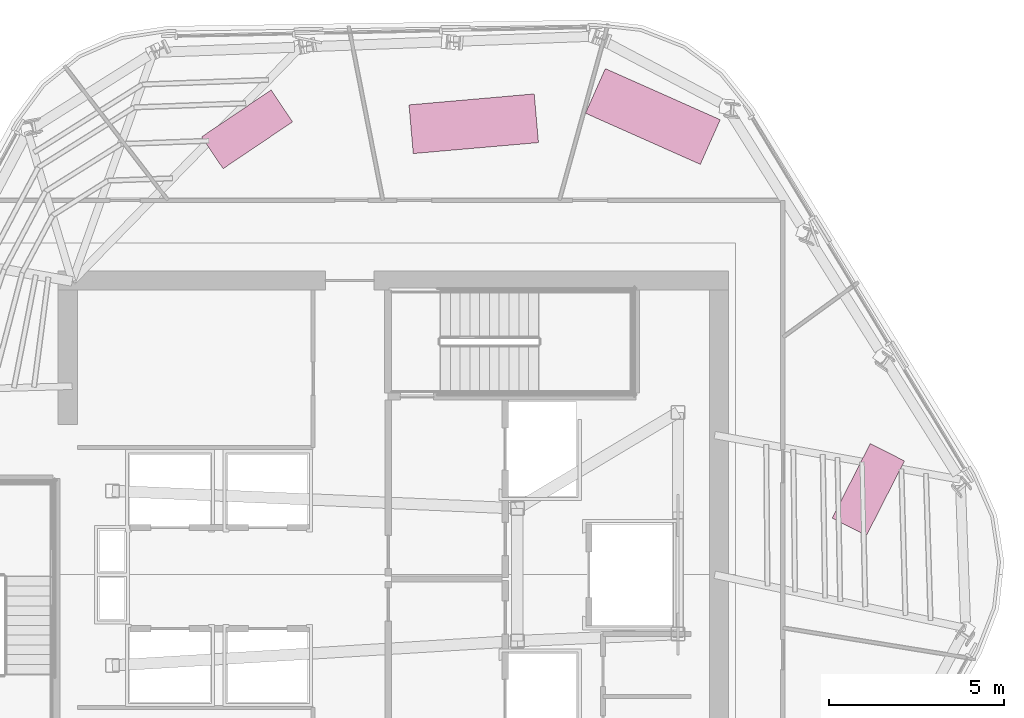
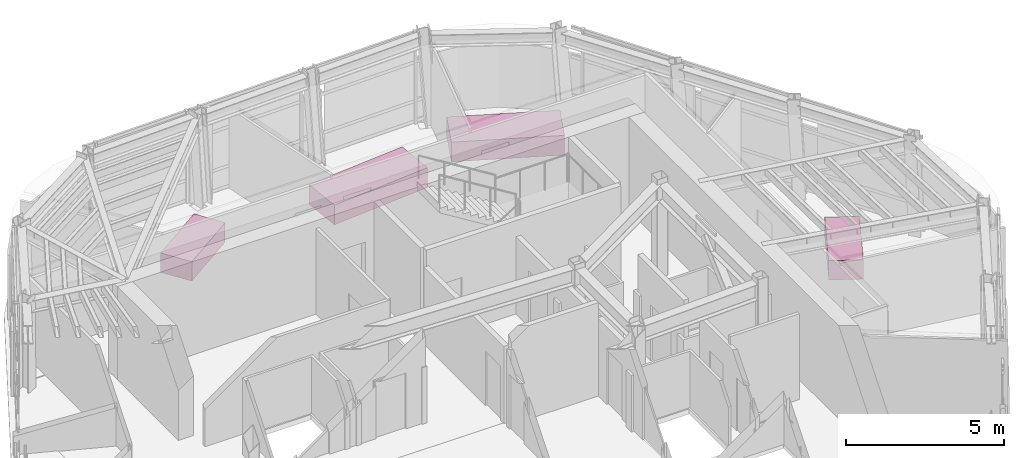
# One storey, part 13 of 13: 4 furniture elements.
"""IFC4 building model written with IfcOpenShell, lengths in metres."""

from ifc_helpers import new_model, si_unit, direction, frame, origin, origin_2d, place, context, subcontext, project, spatial, rectangle, extrude, material, type_object, element, save


model = new_model("IFC4")

# Units and contexts
model_context = context("Model", 3, precision=1e-05, world=origin(), true_north=direction((0.0, 1.0)))
body_context = subcontext(model_context, "Body", "Model", "MODEL_VIEW")
ifc_project = project(units=[si_unit("LENGTHUNIT", "METRE"), si_unit("AREAUNIT", "SQUARE_METRE"), si_unit("VOLUMEUNIT", "CUBIC_METRE"), si_unit("PLANEANGLEUNIT", "RADIAN"), si_unit("MASSUNIT", "GRAM", prefix="KILO")], contexts=[model_context])

# Site, building, storey
site_placement = place(None, origin())
site = spatial("IfcSite", under=ifc_project, at=site_placement, CompositionType="ELEMENT")
building_placement = place(site_placement, origin())
building = spatial("IfcBuilding", under=site, at=building_placement, Name="Valkerne Bourse Tower", CompositionType="ELEMENT")
storey_placement = place(building_placement, frame((0.0, 0.0, 288.800048828125)))
storey = spatial("IfcBuildingStorey", under=building, at=storey_placement, Name="L73", CompositionType="ELEMENT", Elevation=288.800048828125)

# Furniture
ifc_material = material(Name="Architectural White Oak Timber", Category="wood")
furniture_type_1 = type_object("IfcFurnitureType", Name="FURN-CONF-3600", AssemblyPlace="NOTDEFINED", PredefinedType="TABLE", material=ifc_material)
for number, where, z_axis, x_axis, name in (
    (1, (54.22900390625, 40.123046875, 0.044921875), (0.0, 0.0, 1.0), (-0.913545457643, 0.406736643076, 0.0), "L73 Suite Worktable 05"),
    (2, (49.09912109375, 39.9150390625, 0.044921875), (0.0, 0.0, 1.0), (0.996194698092, 0.087155742748, 0.0), "L73 Suite Worktable 06"),
):
    element("IfcFurniture", number, at=place(storey_placement, frame(where, z_axis=z_axis, x_axis=x_axis)), inside=storey, type_object=furniture_type_1, Name=name, PredefinedType="TABLE", context=body_context, shape_type="SweptSolid", body=[
        extrude(rectangle(XDim=3.60009765625, YDim=1.39990234375, at=origin_2d()), origin(), (0.0, 0.0, 1.0), 0.760009765625),
    ])
furniture_type_2 = type_object("IfcFurnitureType", Name="FURN-DESK-2400", AssemblyPlace="NOTDEFINED", PredefinedType="DESK", material=ifc_material)
for number, where, z_axis, x_axis, name in (
    (3, (42.60888671875, 39.75390625, 0.044921875), (0.0, 0.0, 1.0), (0.829037572555, 0.559192903471, 0.0), "L73 Suite Worktable 07"),
    (4, (60.39990234375, 29.43896484375, 0.044921875), (0.0, 0.0, 1.0), (0.45399049974, 0.891006524188, 0.0), "L73 Suite Worktable 08"),
):
    element("IfcFurniture", number, at=place(storey_placement, frame(where, z_axis=z_axis, x_axis=x_axis)), inside=storey, type_object=furniture_type_2, Name=name, PredefinedType="DESK", context=body_context, shape_type="SweptSolid", body=[
        extrude(rectangle(XDim=2.39990234375, YDim=1.10009765625, at=origin_2d()), origin(), (0.0, 0.0, 1.0), 0.75),
    ])

save(model, "model.ifc")
